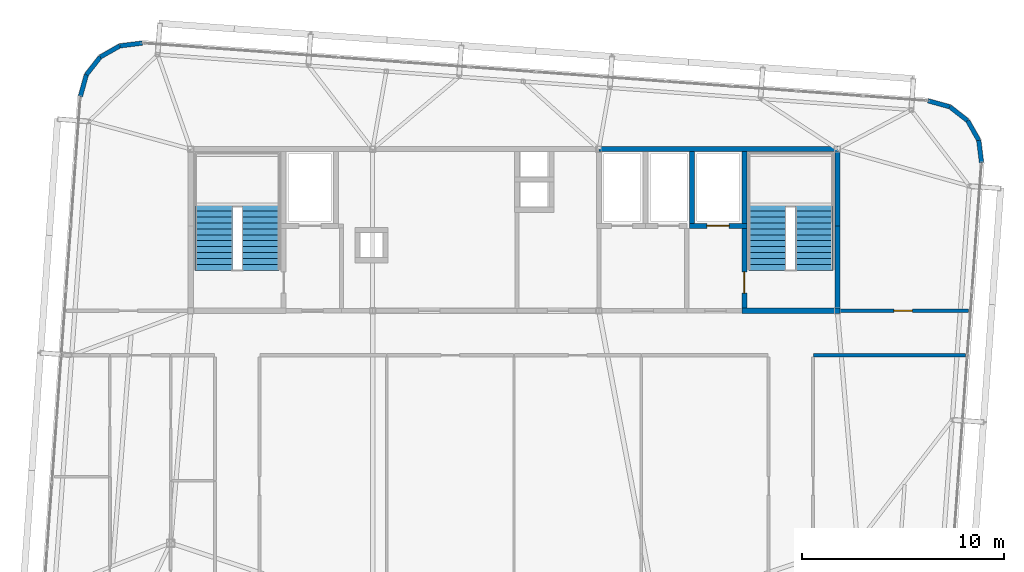
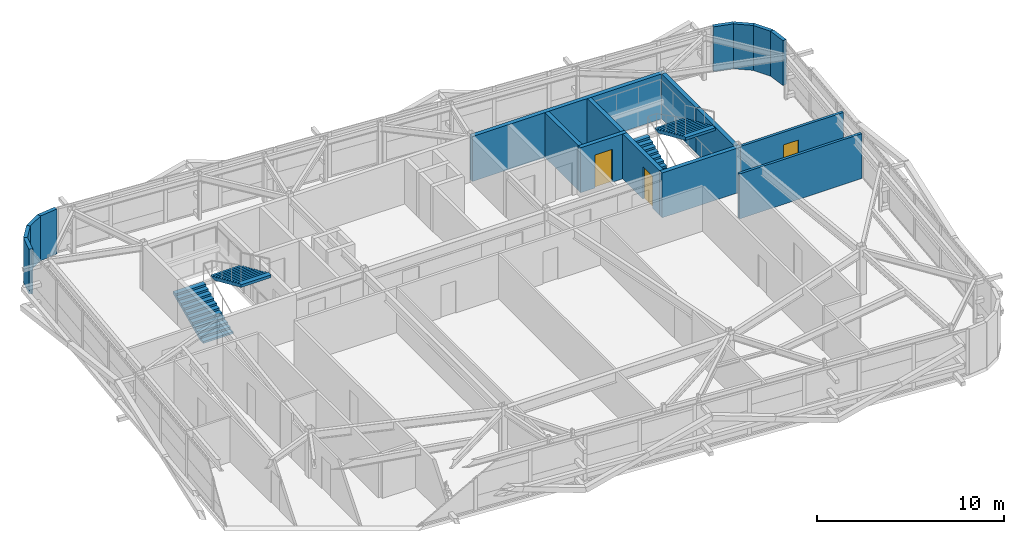
# One storey, part 40 of 42: 18 walls, 4 stair flights, 3 doors, 3 openings, 2 elements without a shape of their own.
"""IFC4 building model written with IfcOpenShell, lengths in metres."""

from ifc_helpers import new_model, si_unit, direction, frame, frame_2d, origin, place, context, subcontext, project, spatial, polyline, rectangle, outline, extrude, source, transform, mapped, material, layer, layer_set, type_object, element, fill, aggregate, save


model = new_model("IFC4")

# Units and contexts
model_context = context("Model", 3, precision=1e-05, world=origin(), true_north=direction((0.0, 1.0)))
body_context = subcontext(model_context, "Body", "Model", "MODEL_VIEW")
ifc_project = project(units=[si_unit("LENGTHUNIT", "METRE"), si_unit("AREAUNIT", "SQUARE_METRE"), si_unit("VOLUMEUNIT", "CUBIC_METRE"), si_unit("PLANEANGLEUNIT", "RADIAN"), si_unit("MASSUNIT", "GRAM", prefix="KILO")], contexts=[model_context])

# Site, building, storey
site_placement = place(None, origin())
site = spatial("IfcSite", under=ifc_project, at=site_placement, CompositionType="ELEMENT")
building_placement = place(site_placement, origin())
building = spatial("IfcBuilding", under=site, at=building_placement, Name="Taldren Reach Tower", CompositionType="ELEMENT")
storey_placement = place(building_placement, frame((0.0, 0.0, 224.0)))
storey = spatial("IfcBuildingStorey", under=building, at=storey_placement, Name="L68", CompositionType="ELEMENT", Elevation=224.0)

# Walls
ifc_material_1 = material(Name="Pale Champagne Anodised Aluminium Cladding", Category="aluminium")
ifc_layer_1 = layer(ifc_material_1, 0.04, Name="Pale Champagne Anodised Aluminium Cladding", Category="aluminium")
ifc_material_2 = material(Name="Mineral Wool Acoustic Insulation", Category="insulation")
ifc_layer_2 = layer(ifc_material_2, 0.06, Name="Mineral Wool Acoustic Insulation", Category="insulation")
ifc_material_3 = material(Name="Steel Gr 350 (C350L0)", Category="steel")
ifc_layer_3 = layer(ifc_material_3, 0.12, Name="Steel Gr 350 (C350L0)", Category="steel")
ifc_layer_set_1 = layer_set([ifc_layer_1, ifc_layer_2, ifc_layer_3], Name="Pale Champagne Aluminium Cladding and Steel Gr 350 Stud Framing")
wall_type_1 = type_object("IfcWallType", Name="EW-CRN-220", PredefinedType="SOLIDWALL", material=ifc_layer_set_1)
shared_shape_1 = source(origin(), body_context, "Body", "SweptSolid", [
    extrude(rectangle(XDim=1.115966796875, YDim=0.219970703125, at=frame_2d((0.55810546875, 0.0))), origin(), (0.0, 0.0, 1.0), 2.929931640625),
])
for number, where, z_axis, x_axis, name in (
    (1, (58.137451171875, 31.328125, 0.0), (0.0, 0.0, 1.0), (-0.122742076028, 0.992438604032, 0.0), "Rounded-corner pale-metal facade wall L68-NE1"),
    (2, (57.4501953125, 33.40625, 0.0), (0.0, 0.0, 1.0), (-0.788597772321, 0.614909386406, 0.0), "Rounded-corner pale-metal facade wall L68-NE3"),
    (3, (14.52099609375, 36.558837890625, 0.0), (0.0, 0.0, 1.0), (-0.614909386406, -0.788597772321, 0.0), "Rounded-corner pale-metal facade wall L68-NW3"),
):
    element("IfcWall", number, at=place(storey_placement, frame(where, z_axis=z_axis, x_axis=x_axis)), inside=storey, type_object=wall_type_1, Name=name, PredefinedType="SOLIDWALL", context=body_context, shape_type="MappedRepresentation", body=[
        mapped(shared_shape_1, transform((0.0, 0.0, 0.0), scale=1.0)),
    ])
shared_shape_2 = source(origin(), body_context, "Body", "SweptSolid", [
    extrude(rectangle(XDim=1.11572265625, YDim=0.219970703125, at=frame_2d((0.557861328125, 0.0))), origin(), (0.0, 0.0, 1.0), 2.929931640625),
])
for number, where, z_axis, x_axis, name in (
    (4, (58.00048828125, 32.435546875, 0.0), (0.0, 0.0, 1.0), (-0.493167138628, 0.869934579941, 0.0), "Rounded-corner pale-metal facade wall L68-NE2"),
    (5, (56.570068359375, 34.092529296875, 0.0), (0.0, 0.0, 1.0), (-0.963833843713, 0.266503886865, 0.0), "Rounded-corner pale-metal facade wall L68-NE4"),
    (6, (15.49169921875, 37.109130859375, 0.0), (0.0, 0.0, 1.0), (-0.869934579941, -0.493167138628, 0.0), "Rounded-corner pale-metal facade wall L68-NW2"),
    (7, (13.834716796875, 35.6787109375, 0.0), (0.0, 0.0, 1.0), (-0.266300605026, -0.963890028874, 0.0), "Rounded-corner pale-metal facade wall L68-NW4"),
):
    element("IfcWall", number, at=place(storey_placement, frame(where, z_axis=z_axis, x_axis=x_axis)), inside=storey, type_object=wall_type_1, Name=name, PredefinedType="SOLIDWALL", context=body_context, shape_type="MappedRepresentation", body=[
        mapped(shared_shape_2, transform((0.0, 0.0, 0.0), scale=1.0)),
    ])
shared_shape_3 = source(origin(), body_context, "Body", "SweptSolid", [
    extrude(rectangle(XDim=1.1162109375, YDim=0.219970703125, at=frame_2d((0.55810546875, 0.0))), origin(), (0.0, 0.0, 1.0), 2.929931640625),
])
wall_1_placement = place(storey_placement, frame((16.599365234375, 37.24609375, 0.0), z_axis=(0.0, 0.0, 1.0), x_axis=(-0.992441899189, -0.122715429897, 0.0)))
element("IfcWall", 8, at=wall_1_placement, inside=storey, type_object=wall_type_1, Name="Rounded-corner pale-metal facade wall L68-NW1", PredefinedType="SOLIDWALL", context=body_context, shape_type="MappedRepresentation", body=[
    mapped(shared_shape_3, transform((0.0, 0.0, 0.0), scale=1.0)),
])
ifc_material_4 = material(Name="Concrete S65 (65 MPa)", Category="concrete")
ifc_layer_4 = layer(ifc_material_4, 0.25)
ifc_layer_set_2 = layer_set([ifc_layer_4], Name="Concrete S65 (65 MPa)")
wall_type_2 = type_object("IfcWallType", Name="IW-CORE-250", PredefinedType="SHEAR", material=ifc_layer_set_2)
shared_shape_4 = source(origin(), body_context, "Body", "SweptSolid", [
    extrude(rectangle(XDim=11.925048828125, YDim=0.25, at=frame_2d((5.96240234375, 0.0))), origin(), (0.0, 0.0, 1.0), 2.929931640625),
])
wall_2_placement = place(storey_placement, frame((39.199951171875, 32.0, 0.0), z_axis=(0.0, 0.0, 1.0), x_axis=(1.0, 0.0, 0.0)))
element("IfcWall", 9, at=wall_2_placement, inside=storey, type_object=wall_type_2, Name="Rear Core Shear Wall W-CORE-L68-NORTH3", PredefinedType="SHEAR", context=body_context, shape_type="MappedRepresentation", body=[
    mapped(shared_shape_4, transform((0.0, 0.0, 0.0), scale=1.0)),
])
shared_shape_5 = source(origin(), body_context, "Body", "SweptSolid", [
    extrude(rectangle(XDim=4.074951171875, YDim=0.25, at=frame_2d((2.03759765625, 0.0))), origin(), (0.0, 0.0, 1.0), 2.929931640625),
])
wall_3_placement = place(storey_placement, frame((51.0, 24.125, 0.0), z_axis=(0.0, 0.0, 1.0), x_axis=(0.0, 1.0, 0.0)))
element("IfcWall", 10, at=wall_3_placement, inside=storey, type_object=wall_type_2, Name="Rear Core Shear Wall W-CORE-L68-EAST1", PredefinedType="SHEAR", context=body_context, shape_type="MappedRepresentation", body=[
    mapped(shared_shape_5, transform((0.0, 0.0, 0.0), scale=1.0)),
])
shared_shape_6 = source(origin(), body_context, "Body", "SweptSolid", [
    extrude(rectangle(XDim=3.675048828125, YDim=0.25, at=frame_2d((1.83740234375, 0.0))), origin(), (0.0, 0.0, 1.0), 2.929931640625),
])
wall_4_placement = place(storey_placement, frame((51.0, 28.199951171875, 0.0), z_axis=(0.0, 0.0, 1.0), x_axis=(0.0, 1.0, 0.0)))
element("IfcWall", 11, at=wall_4_placement, inside=storey, type_object=wall_type_2, Name="Rear Core Shear Wall W-CORE-L68-EAST2", PredefinedType="SHEAR", context=body_context, shape_type="MappedRepresentation", body=[
    mapped(shared_shape_6, transform((0.0, 0.0, 0.0), scale=1.0)),
])
shared_shape_7 = source(origin(), body_context, "Body", "SweptSolid", [
    extrude(rectangle(XDim=3.550048828125, YDim=0.25, at=frame_2d((1.77490234375, 0.0))), origin(), (0.0, 0.0, 1.0), 2.929931640625),
])
for number, where, z_axis, x_axis, name in (
    (12, (46.39990234375, 31.875, 0.0), (0.0, 0.0, 1.0), (0.0, -1.0, 0.0), "Rear Core Shear Wall W-INT-L68-008"),
    (13, (43.800048828125, 31.875, 0.0), (0.0, 0.0, 1.0), (0.0, -1.0, 0.0), "Rear Core Shear Wall W-INT-L68-012"),
):
    element("IfcWall", number, at=place(storey_placement, frame(where, z_axis=z_axis, x_axis=x_axis)), inside=storey, type_object=wall_type_2, Name=name, PredefinedType="SHEAR", context=body_context, shape_type="MappedRepresentation", body=[
        mapped(shared_shape_7, transform((0.0, 0.0, 0.0), scale=1.0)),
    ])

# Wall, opening, door
shared_shape_8 = source(origin(), body_context, "Body", "SweptSolid", [
    extrude(rectangle(XDim=3.949951171875, YDim=0.25, at=frame_2d((1.97509765625, 0.0))), origin(), (0.0, 0.0, 1.0), 2.929931640625),
])
wall_5_placement = place(storey_placement, frame((46.39990234375, 28.074951171875, 0.0), z_axis=(0.0, 0.0, 1.0), x_axis=(0.0, -1.0, 0.0)))
wall_5 = element("IfcWall", 14, at=wall_5_placement, inside=storey, type_object=wall_type_2, Name="Rear Core Shear Wall W-INT-L68-009", PredefinedType="SHEAR", context=body_context, shape_type="MappedRepresentation", body=[
    mapped(shared_shape_8, transform((0.0, 0.0, 0.0), scale=1.0)),
])
shared_shape_9 = source(origin(), body_context, "Body", "SweptSolid", [
    extrude(rectangle(XDim=1.050048828125, YDim=2.10009765625, at=frame_2d((0.52490234375, 1.050048828125))), frame((0.0, 0.135009765625, 0.0), z_axis=(0.0, -1.0, 0.0), x_axis=(1.0, 0.0, 0.0)), (0.0, 0.0, 1.0), 0.27001953125),
])
opening_1_placement = place(wall_5_placement, frame((2.14990234375, 0.0, 0.0)))
opening_1 = element("IfcOpeningElement", 15, at=opening_1_placement, cuts=wall_5, Name="Opening DF-105", PredefinedType="OPENING", context=body_context, shape_type="MappedRepresentation", body=[
    mapped(shared_shape_9, transform((0.0, 0.0, 0.0), scale=1.0)),
])
ifc_material_5 = material(Name="Fire-Rated Care and Stair Exit Door")
door_type_1 = type_object("IfcDoorType", Name="ID-FIRE-105", OperationType="NOTDEFINED", PredefinedType="DOOR", material=ifc_material_5)
shared_shape_10 = source(origin(), body_context, "Body", "SweptSolid", [
    extrude(rectangle(XDim=1.050048828125, YDim=2.10009765625, at=frame_2d((0.52490234375, 1.050048828125))), frame((0.0, 0.02490234375, 0.0), z_axis=(0.0, -1.0, 0.0), x_axis=(1.0, 0.0, 0.0)), (0.0, 0.0, 1.0), 0.050048828125),
])
door_1_placement = place(opening_1_placement, origin())
door_1 = element("IfcDoor", 16, at=door_1_placement, inside=storey, type_object=door_type_1, Name="Fire Exit Stair Door DR-L68-003", OperationType="SINGLE_SWING_RIGHT", OverallHeight=2.10009765625, OverallWidth=1.050048828125, PredefinedType="DOOR", context=body_context, shape_type="MappedRepresentation", body=[
    mapped(shared_shape_10, transform((0.0, 0.0, 0.0), scale=1.0)),
])
fill(opening_1, door_1)

# Wall
shared_shape_11 = source(origin(), body_context, "Body", "SweptSolid", [
    extrude(rectangle(XDim=4.85009765625, YDim=0.25, at=frame_2d((2.425048828125, 0.0))), origin(), (0.0, 0.0, 1.0), 2.929931640625),
])
wall_6_placement = place(storey_placement, frame((46.27490234375, 24.0, 0.0), z_axis=(0.0, 0.0, 1.0), x_axis=(1.0, 0.0, 0.0)))
element("IfcWall", 17, at=wall_6_placement, inside=storey, type_object=wall_type_2, Name="Rear Core Shear Wall W-INT-L68-010", PredefinedType="SHEAR", context=body_context, shape_type="MappedRepresentation", body=[
    mapped(shared_shape_11, transform((0.0, 0.0, 0.0), scale=1.0)),
])

# Wall, opening, door
shared_shape_12 = source(origin(), body_context, "Body", "SweptSolid", [
    extrude(rectangle(XDim=2.849853515625, YDim=0.25, at=frame_2d((1.4248046875, 0.0))), origin(), (0.0, 0.0, 1.0), 2.929931640625),
])
wall_7_placement = place(storey_placement, frame((43.675048828125, 28.199951171875, 0.0), z_axis=(0.0, 0.0, 1.0), x_axis=(1.0, 0.0, 0.0)))
wall_7 = element("IfcWall", 18, at=wall_7_placement, inside=storey, type_object=wall_type_2, Name="Rear Core Shear Wall W-INT-L68-011", PredefinedType="SHEAR", context=body_context, shape_type="MappedRepresentation", body=[
    mapped(shared_shape_12, transform((0.0, 0.0, 0.0), scale=1.0)),
])
shared_shape_13 = source(origin(), body_context, "Body", "SweptSolid", [
    extrude(rectangle(XDim=1.10009765625, YDim=2.14990234375, at=frame_2d((0.550048828125, 1.074951171875))), frame((0.0, 0.135009765625, 0.0), z_axis=(0.0, -1.0, 0.0), x_axis=(1.0, 0.0, 0.0)), (0.0, 0.0, 1.0), 0.27001953125),
])
opening_2_placement = place(wall_7_placement, frame((0.875, 0.0, 0.0)))
opening_2 = element("IfcOpeningElement", 19, at=opening_2_placement, cuts=wall_7, Name="Opening LD-FL2", PredefinedType="OPENING", context=body_context, shape_type="MappedRepresentation", body=[
    mapped(shared_shape_13, transform((0.0, 0.0, 0.0), scale=1.0)),
])
ifc_material_6 = material(Name="Stainless Steel Gr 316 Emergency Lift Landing Door", Category="steel")
door_type_2 = type_object("IfcDoorType", Name="LD-EMG-110", OperationType="SLIDING_TO_LEFT", PredefinedType="DOOR", material=ifc_material_6)
shared_shape_14 = source(origin(), body_context, "Body", "SweptSolid", [
    extrude(rectangle(XDim=1.10009765625, YDim=2.14990234375, at=frame_2d((0.550048828125, 1.074951171875))), frame((0.0, 0.02490234375, 0.0), z_axis=(0.0, -1.0, 0.0), x_axis=(1.0, 0.0, 0.0)), (0.0, 0.0, 1.0), 0.050048828125),
])
door_2_placement = place(opening_2_placement, origin())
door_2 = element("IfcDoor", 20, at=door_2_placement, inside=storey, type_object=door_type_2, Name="Lift Landing Door LD-FL2-L68", OperationType="SLIDING_TO_LEFT", OverallHeight=2.14990234375, OverallWidth=1.10009765625, PredefinedType="DOOR", context=body_context, shape_type="MappedRepresentation", body=[
    mapped(shared_shape_14, transform((0.0, 0.0, 0.0), scale=1.0)),
])
fill(opening_2, door_2)

ifc_material_7 = material(Name="Fire-Rated Acoustic Plasterboard Stud Wall", Category="gypsum")
ifc_layer_5 = layer(ifc_material_7, 0.159912109375)
ifc_layer_set_3 = layer_set([ifc_layer_5], Name="Fire-Rated Acoustic Plasterboard Stud Wall")
wall_type_3 = type_object("IfcWallType", Name="IW-FIRE-160", PredefinedType="PARTITIONING", material=ifc_layer_set_3)
shared_shape_15 = source(origin(), body_context, "Body", "SweptSolid", [
    extrude(rectangle(XDim=6.378173828125, YDim=0.159912109375, at=frame_2d((3.18896484375, 0.0))), origin(), (0.0, 0.0, 1.0), 2.929931640625),
])
wall_8_placement = place(storey_placement, frame((51.125, 24.0, 0.0), z_axis=(0.0, 0.0, 1.0), x_axis=(1.0, 0.0, 0.0)))
wall_8 = element("IfcWall", 21, at=wall_8_placement, inside=storey, type_object=wall_type_3, Name="Interior Partition Wall W-INT-L68-044", PredefinedType="PARTITIONING", context=body_context, shape_type="MappedRepresentation", body=[
    mapped(shared_shape_15, transform((0.0, 0.0, 0.0), scale=1.0)),
])
shared_shape_16 = source(origin(), body_context, "Body", "SweptSolid", [
    extrude(rectangle(XDim=0.919921875, YDim=2.10009765625, at=frame_2d((0.4599609375, 1.050048828125))), frame((0.0, 0.08984375, 0.0), z_axis=(0.0, -1.0, 0.0), x_axis=(1.0, 0.0, 0.0)), (0.0, 0.0, 1.0), 0.179931640625),
])
opening_3_placement = place(wall_8_placement, frame((2.6767578125, 0.0, 0.0)))
opening_3 = element("IfcOpeningElement", 22, at=opening_3_placement, cuts=wall_8, Name="Opening DI-092", PredefinedType="OPENING", context=body_context, shape_type="MappedRepresentation", body=[
    mapped(shared_shape_16, transform((0.0, 0.0, 0.0), scale=1.0)),
])
ifc_material_8 = material(Name="Solid-Core Timber Suite Door", Category="wood")
door_type_3 = type_object("IfcDoorType", Name="ID-INT-092", OperationType="NOTDEFINED", PredefinedType="DOOR", material=ifc_material_8)
shared_shape_17 = source(origin(), body_context, "Body", "SweptSolid", [
    extrude(rectangle(XDim=0.919921875, YDim=2.10009765625, at=frame_2d((0.4599609375, 1.050048828125))), frame((0.0, 0.02490234375, 0.0), z_axis=(0.0, -1.0, 0.0), x_axis=(1.0, 0.0, 0.0)), (0.0, 0.0, 1.0), 0.050048828125),
])
door_3_placement = place(opening_3_placement, origin())
door_3 = element("IfcDoor", 23, at=door_3_placement, inside=storey, type_object=door_type_3, Name="Interior Door DR-L68-012", OperationType="SINGLE_SWING_LEFT", OverallHeight=2.10009765625, OverallWidth=0.919921875, PredefinedType="DOOR", context=body_context, shape_type="MappedRepresentation", body=[
    mapped(shared_shape_17, transform((0.0, 0.0, 0.0), scale=1.0)),
])
fill(opening_3, door_3)

# Wall
shared_shape_18 = source(origin(), body_context, "Body", "SweptSolid", [
    extrude(rectangle(XDim=7.532958984375, YDim=0.159912109375, at=frame_2d((3.7666015625, 0.0))), origin(), (0.0, 0.0, 1.0), 2.929931640625),
])
wall_9_placement = place(storey_placement, frame((57.353271484375, 21.800048828125, 0.0), z_axis=(0.0, 0.0, 1.0), x_axis=(-1.0, 0.0, 0.0)))
element("IfcWall", 24, at=wall_9_placement, inside=storey, type_object=wall_type_3, Name="Interior Partition Wall W-INT-L68-049", PredefinedType="PARTITIONING", context=body_context, shape_type="MappedRepresentation", body=[
    mapped(shared_shape_18, transform((0.0, 0.0, 0.0), scale=1.0)),
])

# Stair, stair flights
ifc_material_9 = material(Name="Concrete S50 (50 MPa)", Category="concrete")
stair_type = type_object("IfcStairType", Name="ST-HT-315", PredefinedType="HALF_TURN_STAIR", material=ifc_material_9)
stair_1_placement = place(storey_placement, origin())
stair_1 = element("IfcStair", 25, at=stair_1_placement, inside=storey, type_object=stair_type, Name="Fire-isolated exit stair ST1 L68", PredefinedType="HALF_TURN_STAIR")
stair_flight_type = type_object("IfcStairFlightType", Name="SF-STR-315", PredefinedType="STRAIGHT", material=ifc_material_9)
stair_flight_1_placement = place(storey_placement, frame((20.139892578125, 25.989990234375, 0.0), z_axis=(0.0, 0.0, 1.0), x_axis=(0.0, 1.0, 0.0)))
stair_flight_1 = element("IfcStairFlight", 26, at=stair_flight_1_placement, type_object=stair_flight_type, Name="ST1 flight 1", NumberOfRisers=12, NumberOfTreads=11, PredefinedType="STRAIGHT", RiserHeight=0.13125, TreadLength=0.295, context=body_context, shape_type="SweptSolid", body=[
    extrude(outline(polyline([(0.0, 0.0), (0.0, 0.13134765625), (0.294921875, 0.13134765625), (0.294921875, 0.262451171875), (0.590087890625, 0.262451171875), (0.590087890625, 0.393798828125), (0.885009765625, 0.393798828125), (0.885009765625, 0.52490234375), (1.179931640625, 0.52490234375), (1.179931640625, 0.65625), (1.47509765625, 0.65625), (1.47509765625, 0.78759765625), (1.77001953125, 0.78759765625), (1.77001953125, 0.918701171875), (2.06494140625, 0.918701171875), (2.06494140625, 1.050048828125), (2.360107421875, 1.050048828125), (2.360107421875, 1.18115234375), (2.655029296875, 1.18115234375), (2.655029296875, 1.3125), (2.949951171875, 1.3125), (2.949951171875, 1.44384765625), (3.2451171875, 1.44384765625), (3.2451171875, 1.574951171875), (3.2451171875, 1.268798828125), (0.393310546875, 0.0), (0.0, 0.0)])), frame((0.0, 0.919921875, 0.0), z_axis=(0.0, -1.0, 0.0), x_axis=(1.0, 0.0, 0.0)), (0.0, 0.0, 1.0), 1.840087890625),
])
stair_flight_2_placement = place(storey_placement, frame((22.4599609375, 29.235107421875, 1.574951171875), z_axis=(0.0, 0.0, 1.0), x_axis=(0.0, -1.0, 0.0)))
stair_flight_2 = element("IfcStairFlight", 27, at=stair_flight_2_placement, type_object=stair_flight_type, Name="ST1 flight 2", NumberOfRisers=12, NumberOfTreads=11, PredefinedType="STRAIGHT", RiserHeight=0.13125, TreadLength=0.295, context=body_context, shape_type="SweptSolid", body=[
    extrude(outline(polyline([(0.0, 0.0), (0.0, 0.13134765625), (0.294921875, 0.13134765625), (0.294921875, 0.262451171875), (0.590087890625, 0.262451171875), (0.590087890625, 0.393798828125), (0.885009765625, 0.393798828125), (0.885009765625, 0.52490234375), (1.179931640625, 0.52490234375), (1.179931640625, 0.65625), (1.47509765625, 0.65625), (1.47509765625, 0.78759765625), (1.77001953125, 0.78759765625), (1.77001953125, 0.918701171875), (2.06494140625, 0.918701171875), (2.06494140625, 1.050048828125), (2.360107421875, 1.050048828125), (2.360107421875, 1.18115234375), (2.655029296875, 1.18115234375), (2.655029296875, 1.3125), (2.949951171875, 1.3125), (2.949951171875, 1.44384765625), (3.2451171875, 1.44384765625), (3.2451171875, 1.574951171875), (3.2451171875, 1.268798828125), (0.393310546875, 0.0), (0.0, 0.0)])), frame((0.0, 0.919921875, 0.0), z_axis=(0.0, -1.0, 0.0), x_axis=(1.0, 0.0, 0.0)), (0.0, 0.0, 1.0), 1.840087890625),
])
aggregate(stair_1, [stair_flight_1, stair_flight_2])

stair_2_placement = place(storey_placement, origin())
stair_2 = element("IfcStair", 28, at=stair_2_placement, inside=storey, type_object=stair_type, Name="Fire-isolated exit stair ST2 L68", PredefinedType="HALF_TURN_STAIR")
stair_flight_3_placement = place(storey_placement, frame((47.5400390625, 25.989990234375, 0.0), z_axis=(0.0, 0.0, 1.0), x_axis=(0.0, 1.0, 0.0)))
stair_flight_3 = element("IfcStairFlight", 29, at=stair_flight_3_placement, type_object=stair_flight_type, Name="ST2 flight 1", NumberOfRisers=12, NumberOfTreads=11, PredefinedType="STRAIGHT", RiserHeight=0.13125, TreadLength=0.295, context=body_context, shape_type="SweptSolid", body=[
    extrude(outline(polyline([(0.0, 0.0), (0.0, 0.13134765625), (0.294921875, 0.13134765625), (0.294921875, 0.262451171875), (0.590087890625, 0.262451171875), (0.590087890625, 0.393798828125), (0.885009765625, 0.393798828125), (0.885009765625, 0.52490234375), (1.179931640625, 0.52490234375), (1.179931640625, 0.65625), (1.47509765625, 0.65625), (1.47509765625, 0.78759765625), (1.77001953125, 0.78759765625), (1.77001953125, 0.918701171875), (2.06494140625, 0.918701171875), (2.06494140625, 1.050048828125), (2.360107421875, 1.050048828125), (2.360107421875, 1.18115234375), (2.655029296875, 1.18115234375), (2.655029296875, 1.3125), (2.949951171875, 1.3125), (2.949951171875, 1.44384765625), (3.2451171875, 1.44384765625), (3.2451171875, 1.574951171875), (3.2451171875, 1.268798828125), (0.393310546875, 0.0), (0.0, 0.0)])), frame((0.0, 0.919921875, 0.0), z_axis=(0.0, -1.0, 0.0), x_axis=(1.0, 0.0, 0.0)), (0.0, 0.0, 1.0), 1.840087890625),
])
stair_flight_4_placement = place(storey_placement, frame((49.860107421875, 29.235107421875, 1.574951171875), z_axis=(0.0, 0.0, 1.0), x_axis=(0.0, -1.0, 0.0)))
stair_flight_4 = element("IfcStairFlight", 30, at=stair_flight_4_placement, type_object=stair_flight_type, Name="ST2 flight 2", NumberOfRisers=12, NumberOfTreads=11, PredefinedType="STRAIGHT", RiserHeight=0.13125, TreadLength=0.295, context=body_context, shape_type="SweptSolid", body=[
    extrude(outline(polyline([(0.0, 0.0), (0.0, 0.13134765625), (0.294921875, 0.13134765625), (0.294921875, 0.262451171875), (0.590087890625, 0.262451171875), (0.590087890625, 0.393798828125), (0.885009765625, 0.393798828125), (0.885009765625, 0.52490234375), (1.179931640625, 0.52490234375), (1.179931640625, 0.65625), (1.47509765625, 0.65625), (1.47509765625, 0.78759765625), (1.77001953125, 0.78759765625), (1.77001953125, 0.918701171875), (2.06494140625, 0.918701171875), (2.06494140625, 1.050048828125), (2.360107421875, 1.050048828125), (2.360107421875, 1.18115234375), (2.655029296875, 1.18115234375), (2.655029296875, 1.3125), (2.949951171875, 1.3125), (2.949951171875, 1.44384765625), (3.2451171875, 1.44384765625), (3.2451171875, 1.574951171875), (3.2451171875, 1.268798828125), (0.393310546875, 0.0), (0.0, 0.0)])), frame((0.0, 0.919921875, 0.0), z_axis=(0.0, -1.0, 0.0), x_axis=(1.0, 0.0, 0.0)), (0.0, 0.0, 1.0), 1.840087890625),
])
aggregate(stair_2, [stair_flight_3, stair_flight_4])

save(model, "model.ifc")
